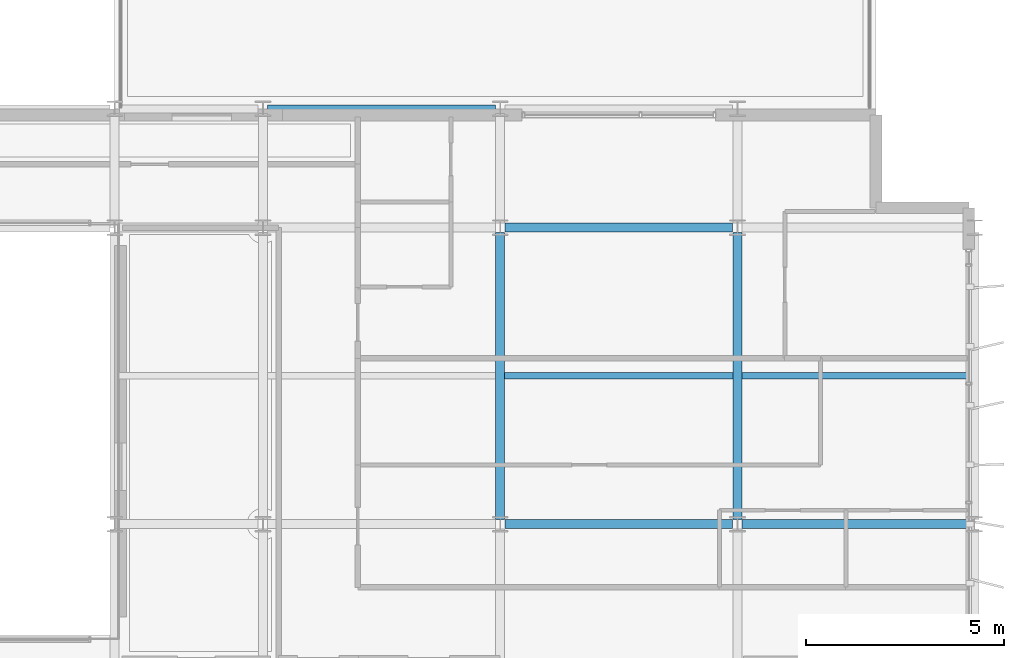
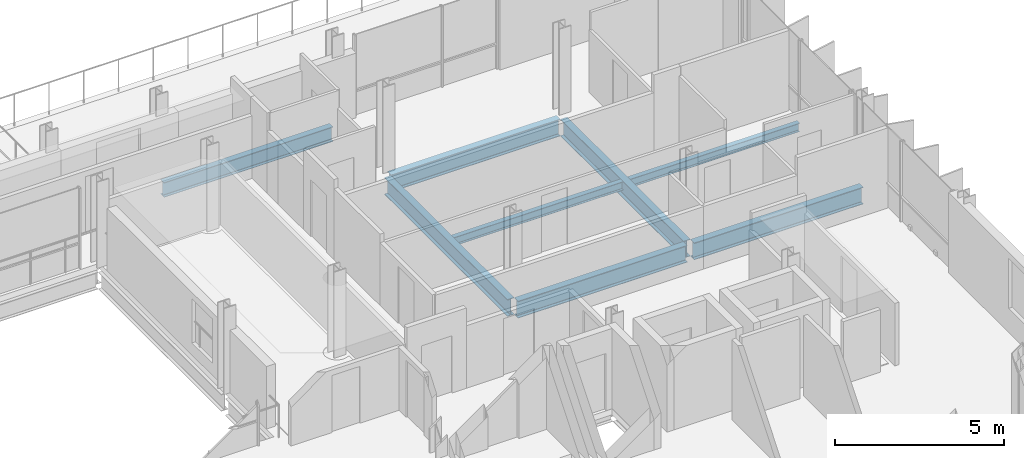
# One storey, part 21 of 38: 8 beams.
"""IFC4 building model written with IfcOpenShell, lengths in metres."""

from ifc_helpers import new_model, si_unit, direction, frame, origin, origin_2d, place, context, subcontext, project, spatial, i_section, extrude, material, material_profile, profile_set, type_object, element, save


model = new_model("IFC4")

# Units and contexts
model_context = context("Model", 3, precision=1e-05, world=origin(), true_north=direction((0.0, 1.0)))
body_context = subcontext(model_context, "Body", "Model", "MODEL_VIEW")
ifc_project = project(units=[si_unit("LENGTHUNIT", "METRE"), si_unit("AREAUNIT", "SQUARE_METRE"), si_unit("VOLUMEUNIT", "CUBIC_METRE"), si_unit("PLANEANGLEUNIT", "RADIAN"), si_unit("MASSUNIT", "GRAM", prefix="KILO")], contexts=[model_context])

# Site, building, storey
site_placement = place(None, origin())
site = spatial("IfcSite", under=ifc_project, at=site_placement, CompositionType="ELEMENT")
building_placement = place(site_placement, origin())
building = spatial("IfcBuilding", under=site, at=building_placement, Name="Brevholm Reach", CompositionType="ELEMENT")
storey_placement = place(building_placement, frame((0.0, 0.0, 172.800048828125)))
storey = spatial("IfcBuildingStorey", under=building, at=storey_placement, Name="L52", CompositionType="ELEMENT", Elevation=172.800048828125)

# Beams
ifc_material_1 = material(Name="Structural Steel S355J2", Category="steel")
ifc_material_profile_1 = material_profile(ifc_material_1, i_section(OverallWidth=0.1650390625, OverallDepth=0.303466796875, WebThickness=0.006103515625, FlangeThickness=0.01025390625, FilletRadius=0.0087890625, at=origin_2d()), Name="UKB 305x165x40")
ifc_profile_set_1 = profile_set([ifc_material_profile_1], Name="Structural Steel S355J2")
beam_type_1 = type_object("IfcBeamType", Name="BM-B305", PredefinedType="BEAM", material=ifc_profile_set_1)
beam_1_placement = place(storey_placement, frame((48.114501953125, 19.75, -0.36181640625), z_axis=(1.0, 0.0, 0.0), x_axis=(0.0, 1.0, 0.0)))
element("IfcBeam", 1, at=beam_1_placement, inside=storey, type_object=beam_type_1, Name="L52 Composite Secondary Floor Beam", PredefinedType="BEAM", context=body_context, shape_type="SweptSolid", body=[
    extrude(i_section(OverallWidth=0.1650390625, OverallDepth=0.303466796875, WebThickness=0.006103515625, FlangeThickness=0.01025390625, FilletRadius=0.0087890625, at=origin_2d()), origin(), (0.0, 0.0, 1.0), 5.77099609375),
])
beam_2_placement = place(storey_placement, frame((54.114501953125, 19.75, -0.36181640625), z_axis=(1.0, 0.0, 0.0), x_axis=(0.0, 1.0, 0.0)))
element("IfcBeam", 2, at=beam_2_placement, inside=storey, type_object=beam_type_1, Name="L52 Composite Secondary Floor Beam", PredefinedType="BEAM", context=body_context, shape_type="SweptSolid", body=[
    extrude(i_section(OverallWidth=0.1650390625, OverallDepth=0.303466796875, WebThickness=0.006103515625, FlangeThickness=0.01025390625, FilletRadius=0.0087890625, at=origin_2d()), origin(), (0.0, 0.0, 1.0), 5.78076171875),
])
ifc_material_2 = material(Name="Structural Steel S355J2", Category="steel")
ifc_material_profile_2 = material_profile(ifc_material_2, i_section(OverallWidth=0.209228515625, OverallDepth=0.533203125, WebThickness=0.010009765625, FlangeThickness=0.015625, FilletRadius=0.0126953125, at=origin_2d()), Name="UKB 533x210x92")
ifc_profile_set_2 = profile_set([ifc_material_profile_2], Name="Structural Steel S355J2")
beam_type_2 = type_object("IfcBeamType", Name="BM-SP533", PredefinedType="SPANDREL", material=ifc_profile_set_2)
beam_3_placement = place(storey_placement, frame((42.1201171875, 26.5, -0.4765625), z_axis=(1.0, 0.0, 0.0), x_axis=(0.0, 1.0, 0.0)))
element("IfcBeam", 3, at=beam_3_placement, inside=storey, type_object=beam_type_2, Name="L52 SP-02 Framing Beam", PredefinedType="SPANDREL", context=body_context, shape_type="SweptSolid", body=[
    extrude(i_section(OverallWidth=0.209228515625, OverallDepth=0.533203125, WebThickness=0.010009765625, FlangeThickness=0.015625, FilletRadius=0.0126953125, at=origin_2d()), origin(), (0.0, 0.0, 1.0), 5.759765625),
])
ifc_material_3 = material(Name="Structural Steel S355J2", Category="steel")
ifc_material_profile_3 = material_profile(ifc_material_3, i_section(OverallWidth=0.22900390625, OverallDepth=0.6123046875, WebThickness=0.011962890625, FlangeThickness=0.01953125, FilletRadius=0.0126953125, at=origin_2d()), Name="UKB 610x229x125")
ifc_profile_set_3 = profile_set([ifc_material_profile_3], Name="Structural Steel S355J2")
beam_type_3 = type_object("IfcBeamType", Name="BM-SP610", PredefinedType="SPANDREL", material=ifc_profile_set_3)
for number, where, z_axis, x_axis, name in (
    (4, (48.1201171875, 16.0, -0.51611328125), (1.0, 0.0, 0.0), (0.0, 1.0, 0.0), "L52 SP-01 Framing Beam"),
    (5, (54.1201171875, 16.0, -0.51611328125), (1.0, 0.0, 0.0), (0.0, 1.0, 0.0), "L52 SP-01 Framing Beam"),
    (6, (48.1201171875, 23.5, -0.51611328125), (1.0, 0.0, 0.0), (0.0, 1.0, 0.0), "L52 SP-01 Framing Beam"),
):
    element("IfcBeam", number, at=place(storey_placement, frame(where, z_axis=z_axis, x_axis=x_axis)), inside=storey, type_object=beam_type_3, Name=name, PredefinedType="SPANDREL", context=body_context, shape_type="SweptSolid", body=[
        extrude(i_section(OverallWidth=0.22900390625, OverallDepth=0.6123046875, WebThickness=0.011962890625, FlangeThickness=0.01953125, FilletRadius=0.0126953125, at=origin_2d()), origin(), (0.0, 0.0, 1.0), 5.759765625),
    ])
for number, where, z_axis, x_axis, name in (
    (7, (48.0, 16.1201171875, -0.51611328125), (0.0, 1.0, 0.0), (-1.0, 0.0, 0.0), "L52 SP-01 Framing Beam"),
    (8, (54.0, 16.1201171875, -0.51611328125), (0.0, 1.0, 0.0), (-1.0, 0.0, 0.0), "L52 SP-01 Framing Beam"),
):
    element("IfcBeam", number, at=place(storey_placement, frame(where, z_axis=z_axis, x_axis=x_axis)), inside=storey, type_object=beam_type_3, Name=name, PredefinedType="SPANDREL", context=body_context, shape_type="SweptSolid", body=[
        extrude(i_section(OverallWidth=0.22900390625, OverallDepth=0.6123046875, WebThickness=0.011962890625, FlangeThickness=0.01953125, FilletRadius=0.0126953125, at=origin_2d()), origin(), (0.0, 0.0, 1.0), 7.259765625),
    ])

save(model, "model.ifc")
